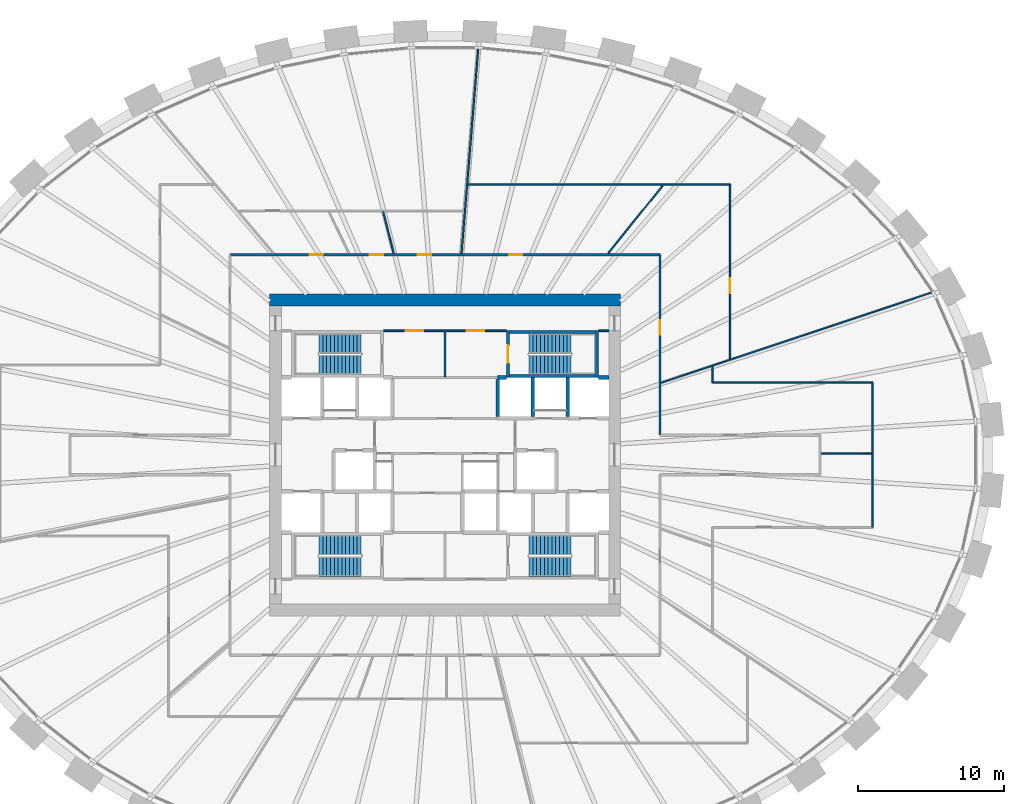
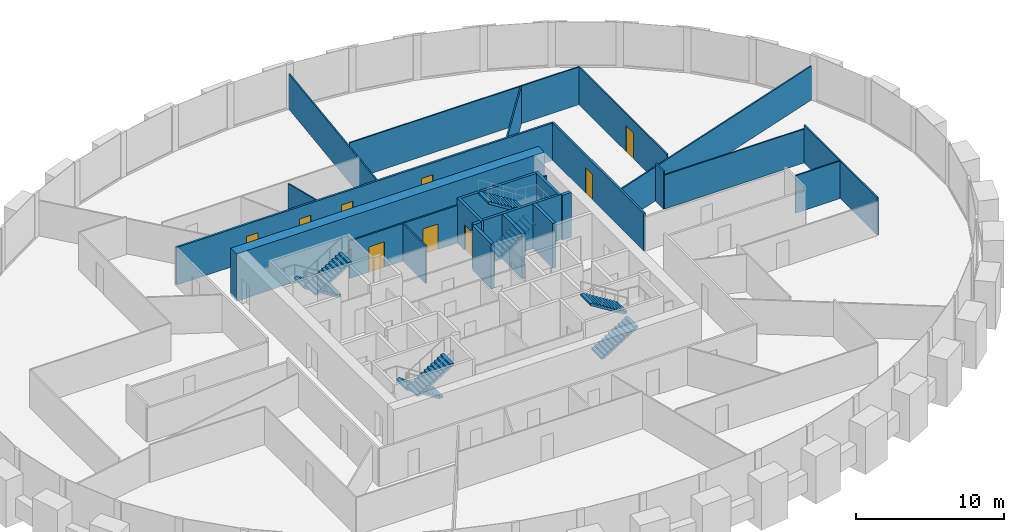
# One storey, part 9 of 10: 25 walls, 9 doors, 8 stair flights, 9 openings, 4 elements without a shape of their own.
"""IFC4 building model written with IfcOpenShell, lengths in metres."""

import ifcopenshell
import ifcopenshell.guid

model = None  # the IFC model being written
_history = None  # IfcOwnerHistory: only IFC2X3 demands one
_inside = {}  # id of a spatial element -> (the spatial element, [elements in it])
_under = {}  # id of a project, library or spatial element -> (it, [spatial elements below it])
_declared = {}  # id of a project -> (the project, [libraries it declares])
_typed = {}  # id of a type object -> (the type object, [elements of that type])
_made_of = {}  # id of a material, layer set ... -> (it, [elements and type objects made of it])


def new_model(schema):
    """Start an empty IFC model of exactly this schema.

    Asked for "IFC4X3", IfcOpenShell would pick the latest addendum, in which some entities
    have other attributes; the version numbers below select the first issue.
    IFC2X3 requires an IfcOwnerHistory on every rooted entity: one is made here for all.
    """
    global model, _history
    if schema == "IFC4X3":
        model = ifcopenshell.file(schema_version=(4, 3, 0, 0))
    else:
        model = ifcopenshell.file(schema=schema)
    _inside.clear()
    _under.clear()
    _declared.clear()
    _typed.clear()
    _made_of.clear()
    _history = None
    if model.schema == "IFC2X3":
        org = make("IfcOrganization", Name="unknown")
        user = make(
            "IfcPersonAndOrganization",
            ThePerson=make("IfcPerson", FamilyName="unknown"),
            TheOrganization=org,
        )
        app = make(
            "IfcApplication",
            ApplicationDeveloper=org,
            Version="unknown",
            ApplicationFullName="unknown",
            ApplicationIdentifier="unknown",
        )
        _history = make(
            "IfcOwnerHistory",
            OwningUser=user,
            OwningApplication=app,
            ChangeAction="ADDED",
            CreationDate=0,
        )
    return model


def make(cls, **values):
    """One entity of the class cls with the attributes given. An attribute that is None is left unset."""
    return model.create_entity(
        cls, **{name: value for name, value in values.items() if value is not None}
    )


def rooted(cls, **values):
    """An entity with a GlobalId (a new one), such as an element, a storey or a relation."""
    return make(cls, GlobalId=ifcopenshell.guid.new(), OwnerHistory=_history, **values)


def si_unit(unit_type, name, prefix=None):
    """IfcSIUnit, for example si_unit("LENGTHUNIT", "METRE", prefix="MILLI")."""
    return make("IfcSIUnit", UnitType=unit_type, Prefix=prefix, Name=name)


def assignment(units):
    """IfcUnitAssignment: the units of a project."""
    return None if units is None else make("IfcUnitAssignment", Units=units)


def point(xyz):
    """IfcCartesianPoint."""
    return None if xyz is None else make("IfcCartesianPoint", Coordinates=xyz)


def direction(xyz):
    """IfcDirection."""
    return None if xyz is None else make("IfcDirection", DirectionRatios=xyz)


def frame(location, z_axis=None, x_axis=None):
    """IfcAxis2Placement3D, a coordinate frame: its origin and axes. An axis left out is left unset."""
    return make(
        "IfcAxis2Placement3D",
        Location=point(location),
        Axis=direction(z_axis),
        RefDirection=direction(x_axis),
    )


def frame_2d(location, x_axis=None):
    """IfcAxis2Placement2D, a coordinate frame in the plane: its origin and x axis."""
    return make(
        "IfcAxis2Placement2D", Location=point(location), RefDirection=direction(x_axis)
    )


def origin():
    """The frame at (0, 0, 0) with its axes left unset."""
    return frame((0.0, 0.0, 0.0))


def place(relative_to, where):
    """IfcLocalPlacement: puts the frame where relative to a parent placement (None: the world)."""
    return make(
        "IfcLocalPlacement", PlacementRelTo=relative_to, RelativePlacement=where
    )


def context(
    kind, dimensions, precision=None, world=None, true_north=None, identifier=None
):
    """IfcGeometricRepresentationContext, for example the 3D "Model" context."""
    return make(
        "IfcGeometricRepresentationContext",
        ContextIdentifier=identifier,
        ContextType=kind,
        CoordinateSpaceDimension=dimensions,
        Precision=precision,
        WorldCoordinateSystem=world,
        TrueNorth=true_north,
    )


def subcontext(parent, identifier, kind, view, scale=None):
    """IfcGeometricRepresentationSubContext, for example "Body" below "Model"."""
    return make(
        "IfcGeometricRepresentationSubContext",
        ContextIdentifier=identifier,
        ContextType=kind,
        ParentContext=parent,
        TargetScale=scale,
        TargetView=view,
    )


def project(units=None, contexts=None):
    """IfcProject with its units and contexts."""
    return rooted(
        "IfcProject",
        Name="project",
        RepresentationContexts=contexts,
        UnitsInContext=assignment(units),
    )


def spatial(cls, under=None, at=None, **own):
    """A site, building, storey or space (cls), placed at a placement, below another one or the project."""
    s = rooted(cls, ObjectPlacement=at, **own)
    if under is not None:
        _under.setdefault(under.id(), (under, []))[1].append(s)
    return s


def polyline(points):
    """IfcPolyline through the points."""
    return make("IfcPolyline", Points=[point(p) for p in points])


def profile(cls, at=None, kind="AREA", **sizes):
    """A parametric profile (cls). Its sizes go by their IFC names, for example OverallWidth=200.0."""
    return make(cls, ProfileType=kind, Position=at, **sizes)


def rectangle(**sizes):
    """IfcRectangleProfileDef."""
    return profile("IfcRectangleProfileDef", **sizes)


def outline(outer, holes=None, kind="AREA"):
    """IfcArbitraryClosedProfileDef: a profile drawn as a closed curve; with holes, ...WithVoids."""
    if holes is None:
        return make("IfcArbitraryClosedProfileDef", ProfileType=kind, OuterCurve=outer)
    return make(
        "IfcArbitraryProfileDefWithVoids",
        ProfileType=kind,
        OuterCurve=outer,
        InnerCurves=holes,
    )


def extrude(swept, where, along, depth):
    """IfcExtrudedAreaSolid: the profile swept, set in the frame where, extruded along a direction by depth."""
    return make(
        "IfcExtrudedAreaSolid",
        SweptArea=swept,
        Position=where,
        ExtrudedDirection=direction(along),
        Depth=depth,
    )


def shape(context_of_items, identifier, shape_type, items):
    """IfcShapeRepresentation: the items that make up one representation, for example the "Body"."""
    return make(
        "IfcShapeRepresentation",
        ContextOfItems=context_of_items,
        RepresentationIdentifier=identifier,
        RepresentationType=shape_type,
        Items=items,
    )


def source(mapping_origin, context_of_items, identifier, shape_type, items):
    """IfcRepresentationMap: a shape defined once, which mapped items show again and again."""
    return make(
        "IfcRepresentationMap",
        MappingOrigin=mapping_origin,
        MappedRepresentation=shape(context_of_items, identifier, shape_type, items),
    )


def transform(
    local_origin,
    x_axis=None,
    y_axis=None,
    z_axis=None,
    scale=None,
    scale2=None,
    scale3=None,
    uniform=True,
):
    """IfcCartesianTransformationOperator3D, or its non-uniform kind. x_axis, y_axis, z_axis: its Axis1, 2, 3."""
    if uniform:
        return make(
            "IfcCartesianTransformationOperator3D",
            Axis1=direction(x_axis),
            Axis2=direction(y_axis),
            LocalOrigin=point(local_origin),
            Scale=scale,
            Axis3=direction(z_axis),
        )
    return make(
        "IfcCartesianTransformationOperator3DnonUniform",
        Axis1=direction(x_axis),
        Axis2=direction(y_axis),
        LocalOrigin=point(local_origin),
        Scale=scale,
        Axis3=direction(z_axis),
        Scale2=scale2,
        Scale3=scale3,
    )


def mapped(mapping_source, mapping_target):
    """IfcMappedItem: shows the shape of a source again, moved by a transform."""
    return make(
        "IfcMappedItem", MappingSource=mapping_source, MappingTarget=mapping_target
    )


def material(Name=None, Category=None):
    """IfcMaterial."""
    return make("IfcMaterial", Name=Name, Category=Category)


def layer(
    of_material, thickness, ventilated=None, Name=None, Category=None, Priority=None
):
    """IfcMaterialLayer: one layer of a wall or slab, of a material (None: an air gap)."""
    return make(
        "IfcMaterialLayer",
        Material=of_material,
        LayerThickness=thickness,
        IsVentilated=ventilated,
        Name=Name,
        Category=Category,
        Priority=Priority,
    )


def layer_set(layers, Name=None):
    """IfcMaterialLayerSet."""
    return make("IfcMaterialLayerSet", MaterialLayers=layers, LayerSetName=Name)


def made_of(thing, what):
    """Note that an element or type object is made of a material, layer set ...; save() writes the relation."""
    if what is not None:
        _made_of.setdefault(what.id(), (what, []))[1].append(thing)
    return thing


def type_object(cls, material=None, **own):
    """A type object (cls), such as IfcWallType, which elements share."""
    return made_of(rooted(cls, **own), material)


def element(
    cls,
    number,
    at=None,
    inside=None,
    cuts=None,
    type_object=None,
    material=None,
    context=None,
    identifier="Body",
    shape_type=None,
    held_by="IfcProductDefinitionShape",
    body=None,
    shapes=None,
    **own,
):
    """One element of the class cls, such as IfcWall. Its Tag is "e" and its number.

    at: its placement. inside: the storey or other place that contains it. cuts: it is an
    opening in that element (IfcRelVoidsElement). A single representation is given by context,
    identifier, shape_type and body (its items); several are given by shapes. held_by: the class
    of the entity that holds the representations. save() writes the other relations.
    """
    e = rooted(cls, Tag="e%d" % number, ObjectPlacement=at, **own)
    if body is not None:
        shapes = [shape(context, identifier, shape_type, body)]
    if shapes is not None:
        e.Representation = make(held_by, Representations=shapes)
    if inside is not None:
        _inside.setdefault(inside.id(), (inside, []))[1].append(e)
    if cuts is not None:
        rooted(
            "IfcRelVoidsElement", RelatingBuildingElement=cuts, RelatedOpeningElement=e
        )
    if type_object is not None:
        _typed.setdefault(type_object.id(), (type_object, []))[1].append(e)
    return made_of(e, material)


def fill(opening, filler):
    """IfcRelFillsElement: the door or window that sits in an opening."""
    return rooted(
        "IfcRelFillsElement",
        RelatingOpeningElement=opening,
        RelatedBuildingElement=filler,
    )


def aggregate(whole, parts):
    """IfcRelAggregates: a whole, such as a stair, and the parts it consists of."""
    return rooted("IfcRelAggregates", RelatingObject=whole, RelatedObjects=parts)


def save(model, path):
    """Write the relations noted so far, then the file.

    IfcRelAggregates (storeys below a building ...), IfcRelContainedInSpatialStructure (elements
    in a storey), IfcRelDefinesByType, IfcRelAssociatesMaterial and IfcRelDeclares: one each for
    every whole, place, type object, material and project.
    """
    for whole, parts in _under.values():
        aggregate(whole, parts)
    for where, things in _inside.values():
        rooted(
            "IfcRelContainedInSpatialStructure",
            RelatedElements=things,
            RelatingStructure=where,
        )
    for kind, things in _typed.values():
        rooted("IfcRelDefinesByType", RelatedObjects=things, RelatingType=kind)
    for what, things in _made_of.values():
        rooted("IfcRelAssociatesMaterial", RelatedObjects=things, RelatingMaterial=what)
    for by, libraries in _declared.values():
        rooted("IfcRelDeclares", RelatingContext=by, RelatedDefinitions=libraries)
    model.write(path)


model = new_model("IFC4")

# Units and contexts
model_context = context("Model", 3, precision=1e-05, world=origin(), true_north=direction((0.0, 1.0)))
body_context = subcontext(model_context, "Body", "Model", "MODEL_VIEW")
ifc_project = project(units=[si_unit("LENGTHUNIT", "METRE"), si_unit("AREAUNIT", "SQUARE_METRE"), si_unit("VOLUMEUNIT", "CUBIC_METRE"), si_unit("PLANEANGLEUNIT", "RADIAN"), si_unit("MASSUNIT", "GRAM", prefix="KILO")], contexts=[model_context])

# Site, building, storey
site_placement = place(None, origin())
site = spatial("IfcSite", under=ifc_project, at=site_placement, CompositionType="ELEMENT")
building_placement = place(site_placement, origin())
building = spatial("IfcBuilding", under=site, at=building_placement, Name="Embergate Tower", CompositionType="ELEMENT")
storey_placement = place(building_placement, frame((0.0, 0.0, 163.800048828125)))
storey = spatial("IfcBuildingStorey", under=building, at=storey_placement, Name="L36", CompositionType="ELEMENT", Elevation=163.800048828125)

# Walls
ifc_material_1 = material(Name="Concrete C70", Category="concrete")
ifc_layer_1 = layer(ifc_material_1, 0.800048828125)
ifc_layer_set_1 = layer_set([ifc_layer_1], Name="Concrete C70")
wall_type_1 = type_object("IfcWallType", Name="Core outer wall C70 800", PredefinedType="SHEAR", material=ifc_layer_set_1)
shared_shape_1 = source(origin(), body_context, "Body", "SweptSolid", [
    extrude(rectangle(XDim=24.0, YDim=0.800048828125, at=frame_2d((12.0, 0.0))), origin(), (0.0, 0.0, 1.0), 3.89990234375),
])
wall_1_placement = place(storey_placement, frame((-12.0, 10.60009765625, -0.199951171875), z_axis=(0.0, 0.0, 1.0), x_axis=(1.0, 0.0, 0.0)))
element("IfcWall", 1, at=wall_1_placement, inside=storey, type_object=wall_type_1, Name="CW-L36-N", PredefinedType="SHEAR", context=body_context, shape_type="MappedRepresentation", body=[
    mapped(shared_shape_1, transform((0.0, 0.0, 0.0))),
])
ifc_material_2 = material(Name="Concrete C50", Category="concrete")
ifc_layer_2 = layer(ifc_material_2, 0.25)
ifc_layer_set_2 = layer_set([ifc_layer_2], Name="Concrete C50")
wall_type_2 = type_object("IfcWallType", Name="Hoistway wall reinforced concrete 250", PredefinedType="SHEAR", material=ifc_layer_set_2)
shared_shape_2 = source(origin(), body_context, "Body", "SweptSolid", [
    extrude(rectangle(XDim=2.675048828125, YDim=0.25, at=frame_2d((1.33740234375, 0.0))), origin(), (0.0, 0.0, 1.0), 3.699951171875),
])
for number, where, z_axis, x_axis, name in (
    (2, (6.0, 2.625, 0.0), (0.0, 0.0, 1.0), (0.0, 1.0, 0.0), "HW-1 wall"),
    (3, (8.39990234375, 2.625, 0.0), (0.0, 0.0, 1.0), (0.0, 1.0, 0.0), "HW-1 wall"),
):
    element("IfcWall", number, at=place(storey_placement, frame(where, z_axis=z_axis, x_axis=x_axis)), inside=storey, type_object=wall_type_2, Name=name, PredefinedType="SHEAR", context=body_context, shape_type="MappedRepresentation", body=[
        mapped(shared_shape_2, transform((0.0, 0.0, 0.0))),
    ])
ifc_layer_3 = layer(ifc_material_2, 0.199951171875)
ifc_layer_set_3 = layer_set([ifc_layer_3], Name="Concrete C50")
wall_type_3 = type_object("IfcWallType", Name="Stair enclosure wall reinforced concrete 250", PredefinedType="SHEAR", material=ifc_layer_set_3)
shared_shape_3 = source(origin(), body_context, "Body", "SweptSolid", [
    extrude(rectangle(XDim=6.300048828125, YDim=0.199951171875, at=frame_2d((3.14990234375, 0.0))), origin(), (0.0, 0.0, 1.0), 3.699951171875),
])
for number, where, z_axis, x_axis, name in (
    (4, (10.5, 5.39990234375, 0.0), (0.0, 0.0, 1.0), (-1.0, 0.0, 0.0), "SE-1 wall"),
    (5, (10.5, 8.39990234375, 0.0), (0.0, 0.0, 1.0), (-1.0, 0.0, 0.0), "SE-1 wall"),
):
    element("IfcWall", number, at=place(storey_placement, frame(where, z_axis=z_axis, x_axis=x_axis)), inside=storey, type_object=wall_type_3, Name=name, PredefinedType="SHEAR", context=body_context, shape_type="MappedRepresentation", body=[
        mapped(shared_shape_3, transform((0.0, 0.0, 0.0))),
    ])
shared_shape_4 = source(origin(), body_context, "Body", "SweptSolid", [
    extrude(rectangle(XDim=2.550048828125, YDim=0.25, at=frame_2d((1.27490234375, 0.0))), origin(), (0.0, 0.0, 1.0), 3.699951171875),
])
wall_2_placement = place(storey_placement, frame((3.60009765625, 5.175048828125, 0.0), z_axis=(0.0, 0.0, 1.0), x_axis=(0.0, -1.0, 0.0)))
element("IfcWall", 6, at=wall_2_placement, inside=storey, type_object=wall_type_2, Name="HW-1 wall", PredefinedType="SHEAR", context=body_context, shape_type="MappedRepresentation", body=[
    mapped(shared_shape_4, transform((0.0, 0.0, 0.0))),
])

# Wall, opening, door
shared_shape_5 = source(origin(), body_context, "Body", "SweptSolid", [
    extrude(rectangle(XDim=3.199951171875, YDim=0.199951171875, at=frame_2d((1.60009765625, 0.0))), origin(), (0.0, 0.0, 1.0), 3.699951171875),
])
wall_3_placement = place(storey_placement, frame((4.300048828125, 8.5, 0.0), z_axis=(0.0, 0.0, 1.0), x_axis=(0.0, -1.0, 0.0)))
wall_3 = element("IfcWall", 7, at=wall_3_placement, inside=storey, type_object=wall_type_3, Name="SE-1 wall", PredefinedType="SHEAR", context=body_context, shape_type="MappedRepresentation", body=[
    mapped(shared_shape_5, transform((0.0, 0.0, 0.0))),
])
shared_shape_6 = source(origin(), body_context, "Body", "SweptSolid", [
    extrude(rectangle(XDim=1.199951171875, YDim=2.10009765625, at=frame_2d((0.60009765625, 1.050048828125))), frame((0.0, 0.10986328125, 0.0), z_axis=(0.0, -1.0, 0.0), x_axis=(1.0, 0.0, 0.0)), (0.0, 0.0, 1.0), 0.219970703125),
])
opening_1_placement = place(wall_3_placement, frame((1.0, 0.0, 0.0)))
opening_1 = element("IfcOpeningElement", 8, at=opening_1_placement, cuts=wall_3, Name="Opening IF-2", PredefinedType="OPENING", context=body_context, shape_type="MappedRepresentation", body=[
    mapped(shared_shape_6, transform((0.0, 0.0, 0.0))),
])
ifc_material_3 = material(Name="Stair enclosure door 1200")
door_type_1 = type_object("IfcDoorType", Name="Stair enclosure door 1200", OperationType="SINGLE_SWING_LEFT", PredefinedType="DOOR", material=ifc_material_3)
shared_shape_7 = source(origin(), body_context, "Body", "SweptSolid", [
    extrude(rectangle(XDim=1.199951171875, YDim=2.10009765625, at=frame_2d((0.60009765625, 1.050048828125))), frame((0.0, 0.02490234375, 0.0), z_axis=(0.0, -1.0, 0.0), x_axis=(1.0, 0.0, 0.0)), (0.0, 0.0, 1.0), 0.050048828125),
])
door_1_placement = place(opening_1_placement, origin())
door_1 = element("IfcDoor", 9, at=door_1_placement, inside=storey, type_object=door_type_1, Name="IF-2 door", OperationType="SINGLE_SWING_RIGHT", OverallHeight=2.10009765625, OverallWidth=1.199951171875, PredefinedType="DOOR", context=body_context, shape_type="MappedRepresentation", body=[
    mapped(shared_shape_7, transform((0.0, 0.0, 0.0))),
])
fill(opening_1, door_1)

# Wall, openings, doors
ifc_material_4 = material(Name="Core partition blockwork 120")
ifc_layer_4 = layer(ifc_material_4, 0.1201171875)
ifc_layer_set_4 = layer_set([ifc_layer_4], Name="Core partition blockwork 120")
wall_type_4 = type_object("IfcWallType", Name="Core partition blockwork 120", PredefinedType="PARTITIONING", material=ifc_layer_set_4)
shared_shape_8 = source(origin(), body_context, "Body", "SweptSolid", [
    extrude(rectangle(XDim=8.39990234375, YDim=0.1201171875, at=frame_2d((4.199951171875, 0.0))), origin(), (0.0, 0.0, 1.0), 3.099853515625),
])
wall_4_placement = place(storey_placement, frame((4.199951171875, 8.5, 0.0), z_axis=(0.0, 0.0, 1.0), x_axis=(-1.0, 0.0, 0.0)))
wall_4 = element("IfcWall", 10, at=wall_4_placement, inside=storey, type_object=wall_type_4, Name="IP-3 wall", PredefinedType="PARTITIONING", context=body_context, shape_type="MappedRepresentation", body=[
    mapped(shared_shape_8, transform((0.0, 0.0, 0.0))),
])
shared_shape_9 = source(origin(), body_context, "Body", "SweptSolid", [
    extrude(rectangle(XDim=1.199951171875, YDim=2.10009765625, at=frame_2d((0.60009765625, 1.050048828125))), frame((0.0, 0.070068359375, 0.0), z_axis=(0.0, -1.0, 0.0), x_axis=(1.0, 0.0, 0.0)), (0.0, 0.0, 1.0), 0.14013671875),
])
opening_2_placement = place(wall_4_placement, frame((5.699951171875, 0.0, 0.0)))
opening_2 = element("IfcOpeningElement", 11, at=opening_2_placement, cuts=wall_4, Name="Opening IF-3f", PredefinedType="OPENING", context=body_context, shape_type="MappedRepresentation", body=[
    mapped(shared_shape_9, transform((0.0, 0.0, 0.0))),
])
opening_3_placement = place(wall_4_placement, frame((1.5, 0.0, 0.0)))
opening_3 = element("IfcOpeningElement", 12, at=opening_3_placement, cuts=wall_4, Name="Opening IF-3f", PredefinedType="OPENING", context=body_context, shape_type="MappedRepresentation", body=[
    mapped(shared_shape_9, transform((0.0, 0.0, 0.0))),
])
ifc_material_5 = material(Name="Lobby fire door pair 1200")
door_type_2 = type_object("IfcDoorType", Name="Lobby fire door pair 1200", OperationType="DOUBLE_DOOR_SINGLE_SWING", PredefinedType="DOOR", material=ifc_material_5)
door_2_placement = place(opening_2_placement, origin())
door_2 = element("IfcDoor", 13, at=door_2_placement, inside=storey, type_object=door_type_2, Name="IF-3 door", OperationType="DOUBLE_DOOR_SINGLE_SWING", OverallHeight=2.10009765625, OverallWidth=1.199951171875, PredefinedType="DOOR", context=body_context, shape_type="MappedRepresentation", body=[
    mapped(shared_shape_7, transform((0.0, 0.0, 0.0))),
])
fill(opening_2, door_2)
door_3_placement = place(opening_3_placement, origin())
door_3 = element("IfcDoor", 14, at=door_3_placement, inside=storey, type_object=door_type_2, Name="IF-3 door", OperationType="DOUBLE_DOOR_SINGLE_SWING", OverallHeight=2.10009765625, OverallWidth=1.199951171875, PredefinedType="DOOR", context=body_context, shape_type="MappedRepresentation", body=[
    mapped(shared_shape_7, transform((0.0, 0.0, 0.0))),
])
fill(opening_3, door_3)

# Walls
ifc_material_6 = material(Name="Partition dry-lined 100")
ifc_layer_5 = layer(ifc_material_6, 0.10009765625)
ifc_layer_set_5 = layer_set([ifc_layer_5], Name="Partition dry-lined 100")
wall_type_5 = type_object("IfcWallType", Name="Partition dry-lined 100", PredefinedType="PARTITIONING", material=ifc_layer_set_5)
shared_shape_10 = source(origin(), body_context, "Body", "SweptSolid", [
    extrude(rectangle(XDim=10.949951171875, YDim=0.10009765625, at=frame_2d((5.47509765625, 0.0))), origin(), (0.0, 0.0, 1.0), 2.800048828125),
])
wall_5_placement = place(storey_placement, frame((29.25, 4.949951171875, 0.0), z_axis=(0.0, 0.0, 1.0), x_axis=(-1.0, 0.0, 0.0)))
element("IfcWall", 15, at=wall_5_placement, inside=storey, type_object=wall_type_5, Name="IP-1 wall", PredefinedType="PARTITIONING", context=body_context, shape_type="MappedRepresentation", body=[
    mapped(shared_shape_10, transform((0.0, 0.0, 0.0))),
])
shared_shape_11 = source(origin(), body_context, "Body", "SweptSolid", [
    extrude(rectangle(XDim=0.599853515625, YDim=0.25, at=frame_2d((0.2998046875, 0.0))), origin(), (0.0, 0.0, 1.0), 3.699951171875),
])
wall_6_placement = place(storey_placement, frame((4.199951171875, 5.300048828125, 0.0), z_axis=(0.0, 0.0, 1.0), x_axis=(-1.0, 0.0, 0.0)))
element("IfcWall", 16, at=wall_6_placement, inside=storey, type_object=wall_type_2, Name="HW-1 wall", PredefinedType="SHEAR", context=body_context, shape_type="MappedRepresentation", body=[
    mapped(shared_shape_11, transform((0.0, 0.0, 0.0))),
])
shared_shape_12 = source(origin(), body_context, "Body", "SweptSolid", [
    extrude(rectangle(XDim=3.196044921875, YDim=0.199951171875, at=frame_2d((1.59814453125, 0.0))), origin(), (0.0, 0.0, 1.0), 3.699951171875),
])
wall_7_placement = place(storey_placement, frame((10.39990234375, 5.302001953125, 0.0), z_axis=(0.0, 0.0, 1.0), x_axis=(0.0, 1.0, 0.0)))
element("IfcWall", 17, at=wall_7_placement, inside=storey, type_object=wall_type_3, Name="SE-1 wall", PredefinedType="SHEAR", context=body_context, shape_type="MappedRepresentation", body=[
    mapped(shared_shape_12, transform((0.0, 0.0, 0.0))),
])
shared_shape_13 = source(origin(), body_context, "Body", "SweptSolid", [
    extrude(rectangle(XDim=0.697998046875, YDim=0.25, at=frame_2d((0.34912109375, 0.0))), origin(), (0.0, 0.0, 1.0), 3.699951171875),
])
wall_8_placement = place(storey_placement, frame((11.199951171875, 5.300048828125, 0.0), z_axis=(0.0, 0.0, 1.0), x_axis=(-1.0, 0.0, 0.0)))
element("IfcWall", 18, at=wall_8_placement, inside=storey, type_object=wall_type_2, Name="HW-1 wall", PredefinedType="SHEAR", context=body_context, shape_type="MappedRepresentation", body=[
    mapped(shared_shape_13, transform((0.0, 0.0, 0.0))),
])
shared_shape_14 = source(origin(), body_context, "Body", "SweptSolid", [
    extrude(rectangle(XDim=3.079833984375, YDim=0.1201171875, at=frame_2d((1.5400390625, 0.0))), origin(), (0.0, 0.0, 1.0), 3.099853515625),
])
wall_9_placement = place(storey_placement, frame((0.0, 5.360107421875, 0.0), z_axis=(0.0, 0.0, 1.0), x_axis=(0.0, 1.0, 0.0)))
element("IfcWall", 19, at=wall_9_placement, inside=storey, type_object=wall_type_4, Name="IP-3 wall", PredefinedType="PARTITIONING", context=body_context, shape_type="MappedRepresentation", body=[
    mapped(shared_shape_14, transform((0.0, 0.0, 0.0))),
])
shared_shape_15 = source(origin(), body_context, "Body", "SweptSolid", [
    extrude(rectangle(XDim=0.697998046875, YDim=0.1201171875, at=frame_2d((0.34912109375, 0.0))), origin(), (0.0, 0.0, 1.0), 3.099853515625),
])
wall_10_placement = place(storey_placement, frame((10.501953125, 8.5, 0.0), z_axis=(0.0, 0.0, 1.0), x_axis=(1.0, 0.0, 0.0)))
element("IfcWall", 20, at=wall_10_placement, inside=storey, type_object=wall_type_4, Name="IP-3 wall", PredefinedType="PARTITIONING", context=body_context, shape_type="MappedRepresentation", body=[
    mapped(shared_shape_15, transform((0.0, 0.0, 0.0))),
])

# Wall, opening, door
ifc_material_7 = material(Name="Corridor wall dry-lined 150")
ifc_layer_6 = layer(ifc_material_7, 0.14990234375)
ifc_layer_set_6 = layer_set([ifc_layer_6], Name="Corridor wall dry-lined 150")
wall_type_6 = type_object("IfcWallType", Name="Corridor wall dry-lined 150", PredefinedType="PARTITIONING", material=ifc_layer_set_6)
shared_shape_16 = source(origin(), body_context, "Body", "SweptSolid", [
    extrude(rectangle(XDim=12.349853515625, YDim=0.14990234375, at=frame_2d((6.1748046875, 0.0))), origin(), (0.0, 0.0, 1.0), 3.099853515625),
])
wall_11_placement = place(storey_placement, frame((14.699951171875, 13.699951171875, 0.0), z_axis=(0.0, 0.0, 1.0), x_axis=(0.0, -1.0, 0.0)))
wall_11 = element("IfcWall", 21, at=wall_11_placement, inside=storey, type_object=wall_type_6, Name="IP-2 wall", PredefinedType="PARTITIONING", context=body_context, shape_type="MappedRepresentation", body=[
    mapped(shared_shape_16, transform((0.0, 0.0, 0.0))),
])
shared_shape_17 = source(origin(), body_context, "Body", "SweptSolid", [
    extrude(rectangle(XDim=1.0, YDim=2.10009765625, at=frame_2d((0.5, 1.050048828125))), frame((0.0, 0.0849609375, 0.0), z_axis=(0.0, -1.0, 0.0), x_axis=(1.0, 0.0, 0.0)), (0.0, 0.0, 1.0), 0.169921875),
])
opening_4_placement = place(wall_11_placement, frame((4.470947265625, 0.0, 0.0)))
opening_4 = element("IfcOpeningElement", 22, at=opening_4_placement, cuts=wall_11, Name="Opening ID-2", PredefinedType="OPENING", context=body_context, shape_type="MappedRepresentation", body=[
    mapped(shared_shape_17, transform((0.0, 0.0, 0.0))),
])
ifc_material_8 = material(Name="Interior door 1000")
door_type_3 = type_object("IfcDoorType", Name="Interior door 1000", OperationType="SINGLE_SWING_LEFT", PredefinedType="DOOR", material=ifc_material_8)
shared_shape_18 = source(origin(), body_context, "Body", "SweptSolid", [
    extrude(rectangle(XDim=1.0, YDim=2.10009765625, at=frame_2d((0.5, 1.050048828125))), frame((0.0, 0.02490234375, 0.0), z_axis=(0.0, -1.0, 0.0), x_axis=(1.0, 0.0, 0.0)), (0.0, 0.0, 1.0), 0.050048828125),
])
door_4_placement = place(opening_4_placement, origin())
door_4 = element("IfcDoor", 23, at=door_4_placement, inside=storey, type_object=door_type_3, Name="ID-2 door", OperationType="SINGLE_SWING_RIGHT", OverallHeight=2.10009765625, OverallWidth=1.0, PredefinedType="DOOR", context=body_context, shape_type="MappedRepresentation", body=[
    mapped(shared_shape_18, transform((0.0, 0.0, 0.0))),
])
fill(opening_4, door_4)

# Wall, openings, doors
shared_shape_19 = source(origin(), body_context, "Body", "SweptSolid", [
    extrude(rectangle(XDim=29.39990234375, YDim=0.14990234375, at=frame_2d((14.699951171875, 0.0))), origin(), (0.0, 0.0, 1.0), 3.099853515625),
])
wall_12_placement = place(storey_placement, frame((-14.699951171875, 13.699951171875, 0.0), z_axis=(0.0, 0.0, 1.0), x_axis=(1.0, 0.0, 0.0)))
wall_12 = element("IfcWall", 24, at=wall_12_placement, inside=storey, type_object=wall_type_6, Name="IP-2 wall", PredefinedType="PARTITIONING", context=body_context, shape_type="MappedRepresentation", body=[
    mapped(shared_shape_19, transform((0.0, 0.0, 0.0))),
])
shared_shape_20 = source(origin(), body_context, "Body", "SweptSolid", [
    extrude(rectangle(XDim=0.89990234375, YDim=2.10009765625, at=frame_2d((0.449951171875, 1.050048828125))), frame((0.0, 0.0849609375, 0.0), z_axis=(0.0, -1.0, 0.0), x_axis=(1.0, 0.0, 0.0)), (0.0, 0.0, 1.0), 0.169921875),
])
opening_5_placement = place(wall_12_placement, frame((19.080078125, 0.0, 0.0)))
opening_5 = element("IfcOpeningElement", 25, at=opening_5_placement, cuts=wall_12, Name="Opening IF-1c", PredefinedType="OPENING", context=body_context, shape_type="MappedRepresentation", body=[
    mapped(shared_shape_20, transform((0.0, 0.0, 0.0))),
])
opening_6_placement = place(wall_12_placement, frame((12.84912109375, 0.0, 0.0)))
opening_6 = element("IfcOpeningElement", 26, at=opening_6_placement, cuts=wall_12, Name="Opening IF-1c", PredefinedType="OPENING", context=body_context, shape_type="MappedRepresentation", body=[
    mapped(shared_shape_20, transform((0.0, 0.0, 0.0))),
])
opening_7_placement = place(wall_12_placement, frame((9.56396484375, 0.0, 0.0)))
opening_7 = element("IfcOpeningElement", 27, at=opening_7_placement, cuts=wall_12, Name="Opening IF-1c", PredefinedType="OPENING", context=body_context, shape_type="MappedRepresentation", body=[
    mapped(shared_shape_20, transform((0.0, 0.0, 0.0))),
])
opening_8_placement = place(wall_12_placement, frame((5.452880859375, 0.0, 0.0)))
opening_8 = element("IfcOpeningElement", 28, at=opening_8_placement, cuts=wall_12, Name="Opening IF-1c", PredefinedType="OPENING", context=body_context, shape_type="MappedRepresentation", body=[
    mapped(shared_shape_20, transform((0.0, 0.0, 0.0))),
])
ifc_material_9 = material(Name="Escape fire door 900")
door_type_4 = type_object("IfcDoorType", Name="Escape fire door 900", OperationType="SINGLE_SWING_LEFT", PredefinedType="DOOR", material=ifc_material_9)
shared_shape_21 = source(origin(), body_context, "Body", "SweptSolid", [
    extrude(rectangle(XDim=0.89990234375, YDim=2.10009765625, at=frame_2d((0.449951171875, 1.050048828125))), frame((0.0, 0.02490234375, 0.0), z_axis=(0.0, -1.0, 0.0), x_axis=(1.0, 0.0, 0.0)), (0.0, 0.0, 1.0), 0.050048828125),
])
door_5_placement = place(opening_5_placement, origin())
door_5 = element("IfcDoor", 29, at=door_5_placement, inside=storey, type_object=door_type_4, Name="IF-1 door", OperationType="SINGLE_SWING_RIGHT", OverallHeight=2.10009765625, OverallWidth=0.89990234375, PredefinedType="DOOR", context=body_context, shape_type="MappedRepresentation", body=[
    mapped(shared_shape_21, transform((0.0, 0.0, 0.0))),
])
fill(opening_5, door_5)
door_6_placement = place(opening_6_placement, origin())
door_6 = element("IfcDoor", 30, at=door_6_placement, inside=storey, type_object=door_type_4, Name="IF-1 door", OperationType="SINGLE_SWING_LEFT", OverallHeight=2.10009765625, OverallWidth=0.89990234375, PredefinedType="DOOR", context=body_context, shape_type="MappedRepresentation", body=[
    mapped(shared_shape_21, transform((0.0, 0.0, 0.0))),
])
fill(opening_6, door_6)
door_7_placement = place(opening_7_placement, origin())
door_7 = element("IfcDoor", 31, at=door_7_placement, inside=storey, type_object=door_type_4, Name="IF-1 door", OperationType="SINGLE_SWING_LEFT", OverallHeight=2.10009765625, OverallWidth=0.89990234375, PredefinedType="DOOR", context=body_context, shape_type="MappedRepresentation", body=[
    mapped(shared_shape_21, transform((0.0, 0.0, 0.0))),
])
fill(opening_7, door_7)
door_8_placement = place(opening_8_placement, origin())
door_8 = element("IfcDoor", 32, at=door_8_placement, inside=storey, type_object=door_type_4, Name="IF-1 door", OperationType="SINGLE_SWING_RIGHT", OverallHeight=2.10009765625, OverallWidth=0.89990234375, PredefinedType="DOOR", context=body_context, shape_type="MappedRepresentation", body=[
    mapped(shared_shape_21, transform((0.0, 0.0, 0.0))),
])
fill(opening_8, door_8)

# Walls
shared_shape_22 = source(origin(), body_context, "Body", "SweptSolid", [
    extrude(rectangle(XDim=3.474853515625, YDim=0.10009765625, at=frame_2d((1.7373046875, 0.0))), origin(), (0.0, 0.0, 1.0), 3.099853515625),
])
wall_13_placement = place(storey_placement, frame((25.72509765625, 0.087890625, 0.0), z_axis=(0.0, 0.0, 1.0), x_axis=(0.999993829603, 0.003512941156, 0.0)))
element("IfcWall", 33, at=wall_13_placement, inside=storey, type_object=wall_type_5, Name="IP-1 wall", PredefinedType="PARTITIONING", context=body_context, shape_type="MappedRepresentation", body=[
    mapped(shared_shape_22, transform((0.0, 0.0, 0.0))),
])
shared_shape_23 = source(origin(), body_context, "Body", "SweptSolid", [
    extrude(rectangle(XDim=9.89990234375, YDim=0.10009765625, at=frame_2d((4.949951171875, 0.0))), origin(), (0.0, 0.0, 1.0), 3.099853515625),
])
wall_14_placement = place(storey_placement, frame((29.25, 4.949951171875, 0.0), z_axis=(0.0, 0.0, 1.0), x_axis=(0.0, -1.0, 0.0)))
element("IfcWall", 34, at=wall_14_placement, inside=storey, type_object=wall_type_5, Name="IP-1 wall", PredefinedType="PARTITIONING", context=body_context, shape_type="MappedRepresentation", body=[
    mapped(shared_shape_23, transform((0.0, 0.0, 0.0))),
])
shared_shape_24 = source(origin(), body_context, "Body", "SweptSolid", [
    extrude(rectangle(XDim=1.092041015625, YDim=0.10009765625, at=frame_2d((0.5458984375, 0.0))), origin(), (0.0, 0.0, 1.0), 3.099853515625),
])
wall_15_placement = place(storey_placement, frame((18.300048828125, 4.949951171875, 0.0), z_axis=(0.0, 0.0, 1.0), x_axis=(0.0, 1.0, 0.0)))
element("IfcWall", 35, at=wall_15_placement, inside=storey, type_object=wall_type_5, Name="IP-1 wall", PredefinedType="PARTITIONING", context=body_context, shape_type="MappedRepresentation", body=[
    mapped(shared_shape_24, transform((0.0, 0.0, 0.0))),
])
shared_shape_25 = source(origin(), body_context, "Body", "SweptSolid", [
    extrude(rectangle(XDim=19.575927734375, YDim=0.10009765625, at=frame_2d((9.7880859375, 0.0))), origin(), (0.0, 0.0, 1.0), 2.800048828125),
])
wall_16_placement = place(storey_placement, frame((33.35888671875, 11.14111328125, 0.0), z_axis=(0.0, 0.0, 1.0), x_axis=(-0.948501058116, -0.316773961608, 0.0)))
element("IfcWall", 36, at=wall_16_placement, inside=storey, type_object=wall_type_5, Name="IP-1 wall", PredefinedType="PARTITIONING", context=body_context, shape_type="MappedRepresentation", body=[
    mapped(shared_shape_25, transform((0.0, 0.0, 0.0))),
])
shared_shape_26 = source(origin(), body_context, "Body", "SweptSolid", [
    extrude(rectangle(XDim=5.931640625, YDim=0.10009765625, at=frame_2d((2.9658203125, 0.0))), origin(), (0.0, 0.0, 1.0), 3.099853515625),
])
wall_17_placement = place(storey_placement, frame((14.89111328125, 18.4189453125, 0.0), z_axis=(0.0, 0.0, 1.0), x_axis=(-0.628652246479, -0.777686539035, 0.0)))
element("IfcWall", 37, at=wall_17_placement, inside=storey, type_object=wall_type_5, Name="IP-1 wall", PredefinedType="PARTITIONING", context=body_context, shape_type="MappedRepresentation", body=[
    mapped(shared_shape_26, transform((0.0, 0.0, 0.0))),
])

# Wall, opening, door
shared_shape_27 = source(origin(), body_context, "Body", "SweptSolid", [
    extrude(rectangle(XDim=11.91796875, YDim=0.10009765625, at=frame_2d((5.958984375, 0.0))), origin(), (0.0, 0.0, 1.0), 3.099853515625),
])
wall_18_placement = place(storey_placement, frame((19.5, 6.58203125, 0.0), z_axis=(0.0, 0.0, 1.0), x_axis=(0.0, 1.0, 0.0)))
wall_18 = element("IfcWall", 38, at=wall_18_placement, inside=storey, type_object=wall_type_5, Name="IP-1 wall", PredefinedType="PARTITIONING", context=body_context, shape_type="MappedRepresentation", body=[
    mapped(shared_shape_27, transform((0.0, 0.0, 0.0))),
])
shared_shape_28 = source(origin(), body_context, "Body", "SweptSolid", [
    extrude(rectangle(XDim=1.0, YDim=2.10009765625, at=frame_2d((0.5, 1.050048828125))), frame((0.0, 0.06005859375, 0.0), z_axis=(0.0, -1.0, 0.0), x_axis=(1.0, 0.0, 0.0)), (0.0, 0.0, 1.0), 0.1201171875),
])
opening_9_placement = place(wall_18_placement, frame((4.4892578125, 0.0, 0.0)))
opening_9 = element("IfcOpeningElement", 39, at=opening_9_placement, cuts=wall_18, Name="Opening ID-2", PredefinedType="OPENING", context=body_context, shape_type="MappedRepresentation", body=[
    mapped(shared_shape_28, transform((0.0, 0.0, 0.0))),
])
door_9_placement = place(opening_9_placement, origin())
door_9 = element("IfcDoor", 40, at=door_9_placement, inside=storey, type_object=door_type_3, Name="ID-2 door", OperationType="SINGLE_SWING_RIGHT", OverallHeight=2.10009765625, OverallWidth=1.0, PredefinedType="DOOR", context=body_context, shape_type="MappedRepresentation", body=[
    mapped(shared_shape_18, transform((0.0, 0.0, 0.0))),
])
fill(opening_9, door_9)

# Walls
shared_shape_29 = source(origin(), body_context, "Body", "SweptSolid", [
    extrude(rectangle(XDim=17.93798828125, YDim=0.10009765625, at=frame_2d((8.968994140625, 0.0))), origin(), (0.0, 0.0, 1.0), 3.099853515625),
])
wall_19_placement = place(storey_placement, frame((19.5, 18.5, 0.0), z_axis=(0.0, 0.0, 1.0), x_axis=(-1.0, 0.0, 0.0)))
element("IfcWall", 41, at=wall_19_placement, inside=storey, type_object=wall_type_5, Name="IP-1 wall", PredefinedType="PARTITIONING", context=body_context, shape_type="MappedRepresentation", body=[
    mapped(shared_shape_29, transform((0.0, 0.0, 0.0))),
])
shared_shape_30 = source(origin(), body_context, "Body", "SweptSolid", [
    extrude(rectangle(XDim=14.119873046875, YDim=0.10009765625, at=frame_2d((7.06005859375, 0.0))), origin(), (0.0, 0.0, 1.0), 2.89990234375),
])
wall_20_placement = place(storey_placement, frame((2.27587890625, 27.847900390625, 0.0), z_axis=(0.0, 0.0, 1.0), x_axis=(-0.08143842523, -0.996678374851, 0.0)))
element("IfcWall", 42, at=wall_20_placement, inside=storey, type_object=wall_type_5, Name="IP-1 wall", PredefinedType="PARTITIONING", context=body_context, shape_type="MappedRepresentation", body=[
    mapped(shared_shape_30, transform((0.0, 0.0, 0.0))),
])
ifc_material_10 = material(Name="Partition dry-lined 100 wet")
ifc_layer_7 = layer(ifc_material_10, 0.10009765625)
ifc_layer_set_7 = layer_set([ifc_layer_7], Name="Partition dry-lined 100 wet")
wall_type_7 = type_object("IfcWallType", Name="Partition dry-lined 100 wet", PredefinedType="PLUMBINGWALL", material=ifc_layer_set_7)
shared_shape_31 = source(origin(), body_context, "Body", "SweptSolid", [
    extrude(rectangle(XDim=2.941650390625, YDim=0.10009765625, at=frame_2d((1.470703125, 0.0))), origin(), (0.0, 0.0, 1.0), 2.89990234375),
])
wall_21_placement = place(storey_placement, frame((-3.510009765625, 13.787109375, 0.0), z_axis=(0.0, 0.0, 1.0), x_axis=(-0.246497875736, 0.969143331638, 0.0)))
element("IfcWall", 43, at=wall_21_placement, inside=storey, type_object=wall_type_7, Name="IP-1 wall", PredefinedType="PLUMBINGWALL", context=body_context, shape_type="MappedRepresentation", body=[
    mapped(shared_shape_31, transform((0.0, 0.0, 0.0))),
])

# Stair, stair flights
ifc_material_11 = material(Name="Exit stair")
stair_type = type_object("IfcStairType", Name="Exit stair", PredefinedType="HALF_TURN_STAIR", material=ifc_material_11)
stair_1_placement = place(storey_placement, origin())
stair_1 = element("IfcStair", 44, at=stair_1_placement, inside=storey, type_object=stair_type, Name="L36 Exit stair 1", PredefinedType="HALF_TURN_STAIR")
ifc_material_12 = material(Name="Concrete C40", Category="concrete")
stair_flight_type = type_object("IfcStairFlightType", Name="Stair flight reinforced concrete", PredefinedType="STRAIGHT", material=ifc_material_12)
shared_shape_32 = source(origin(), body_context, "Body", "SweptSolid", [
    extrude(outline(polyline([(0.0, 0.0), (0.0, 0.16259765625), (0.260009765625, 0.16259765625), (0.260009765625, 0.324951171875), (0.52001953125, 0.324951171875), (0.52001953125, 0.487548828125), (0.780029296875, 0.487548828125), (0.780029296875, 0.64990234375), (1.0400390625, 0.64990234375), (1.0400390625, 0.8125), (1.300048828125, 0.8125), (1.300048828125, 0.97509765625), (1.56005859375, 0.97509765625), (1.56005859375, 1.137451171875), (1.820068359375, 1.137451171875), (1.820068359375, 1.300048828125), (2.080078125, 1.300048828125), (2.080078125, 1.46240234375), (2.340087890625, 1.46240234375), (2.340087890625, 1.625), (2.60009765625, 1.625), (2.60009765625, 1.78759765625), (2.860107421875, 1.78759765625), (2.860107421875, 1.949951171875), (2.860107421875, 1.61083984375), (0.28271484375, 0.0), (0.0, 0.0)])), frame((0.0, 0.675048828125, 0.0), z_axis=(0.0, -1.0, 0.0), x_axis=(1.0, 0.0, 0.0)), (0.0, 0.0, 1.0), 1.35009765625),
])
stair_flight_1_placement = place(storey_placement, frame((-5.75, 7.625, 0.0), z_axis=(0.0, 0.0, 1.0), x_axis=(-1.0, 0.0, 0.0)))
stair_flight_1 = element("IfcStairFlight", 45, at=stair_flight_1_placement, type_object=stair_flight_type, Name="ST1 flight 1", NumberOfRisers=12, NumberOfTreads=11, PredefinedType="STRAIGHT", RiserHeight=0.1625, TreadLength=0.26, context=body_context, shape_type="MappedRepresentation", body=[
    mapped(shared_shape_32, transform((0.0, 0.0, 0.0))),
])
stair_flight_2_placement = place(storey_placement, frame((-8.610107421875, 6.175048828125, 1.949951171875), z_axis=(0.0, 0.0, 1.0), x_axis=(1.0, 0.0, 0.0)))
stair_flight_2 = element("IfcStairFlight", 46, at=stair_flight_2_placement, type_object=stair_flight_type, Name="ST1 flight 2", NumberOfRisers=12, NumberOfTreads=11, PredefinedType="STRAIGHT", RiserHeight=0.1625, TreadLength=0.26, context=body_context, shape_type="MappedRepresentation", body=[
    mapped(shared_shape_32, transform((0.0, 0.0, 0.0))),
])
aggregate(stair_1, [stair_flight_1, stair_flight_2])

stair_2_placement = place(storey_placement, origin())
stair_2 = element("IfcStair", 47, at=stair_2_placement, inside=storey, type_object=stair_type, Name="L36 Exit stair 2", PredefinedType="HALF_TURN_STAIR")
stair_flight_3_placement = place(storey_placement, frame((5.75, 6.175048828125, 0.0), z_axis=(0.0, 0.0, 1.0), x_axis=(1.0, 0.0, 0.0)))
stair_flight_3 = element("IfcStairFlight", 48, at=stair_flight_3_placement, type_object=stair_flight_type, Name="ST2 flight 1", NumberOfRisers=12, NumberOfTreads=11, PredefinedType="STRAIGHT", RiserHeight=0.1625, TreadLength=0.26, context=body_context, shape_type="MappedRepresentation", body=[
    mapped(shared_shape_32, transform((0.0, 0.0, 0.0))),
])
stair_flight_4_placement = place(storey_placement, frame((8.610107421875, 7.625, 1.949951171875), z_axis=(0.0, 0.0, 1.0), x_axis=(-1.0, 0.0, 0.0)))
stair_flight_4 = element("IfcStairFlight", 49, at=stair_flight_4_placement, type_object=stair_flight_type, Name="ST2 flight 2", NumberOfRisers=12, NumberOfTreads=11, PredefinedType="STRAIGHT", RiserHeight=0.1625, TreadLength=0.26, context=body_context, shape_type="MappedRepresentation", body=[
    mapped(shared_shape_32, transform((0.0, 0.0, 0.0))),
])
aggregate(stair_2, [stair_flight_3, stair_flight_4])

stair_3_placement = place(storey_placement, origin())
stair_3 = element("IfcStair", 50, at=stair_3_placement, inside=storey, type_object=stair_type, Name="L36 Exit stair 3", PredefinedType="HALF_TURN_STAIR")
stair_flight_5_placement = place(storey_placement, frame((-5.75, -6.175048828125, 0.0), z_axis=(0.0, 0.0, 1.0), x_axis=(-1.0, 0.0, 0.0)))
stair_flight_5 = element("IfcStairFlight", 51, at=stair_flight_5_placement, type_object=stair_flight_type, Name="ST3 flight 1", NumberOfRisers=12, NumberOfTreads=11, PredefinedType="STRAIGHT", RiserHeight=0.1625, TreadLength=0.26, context=body_context, shape_type="MappedRepresentation", body=[
    mapped(shared_shape_32, transform((0.0, 0.0, 0.0))),
])
stair_flight_6_placement = place(storey_placement, frame((-8.610107421875, -7.625, 1.949951171875), z_axis=(0.0, 0.0, 1.0), x_axis=(1.0, 0.0, 0.0)))
stair_flight_6 = element("IfcStairFlight", 52, at=stair_flight_6_placement, type_object=stair_flight_type, Name="ST3 flight 2", NumberOfRisers=12, NumberOfTreads=11, PredefinedType="STRAIGHT", RiserHeight=0.1625, TreadLength=0.26, context=body_context, shape_type="MappedRepresentation", body=[
    mapped(shared_shape_32, transform((0.0, 0.0, 0.0))),
])
aggregate(stair_3, [stair_flight_5, stair_flight_6])

stair_4_placement = place(storey_placement, origin())
stair_4 = element("IfcStair", 53, at=stair_4_placement, inside=storey, type_object=stair_type, Name="L36 Exit stair 4", PredefinedType="HALF_TURN_STAIR")
stair_flight_7_placement = place(storey_placement, frame((5.75, -7.625, 0.0), z_axis=(0.0, 0.0, 1.0), x_axis=(1.0, 0.0, 0.0)))
stair_flight_7 = element("IfcStairFlight", 54, at=stair_flight_7_placement, type_object=stair_flight_type, Name="ST4 flight 1", NumberOfRisers=12, NumberOfTreads=11, PredefinedType="STRAIGHT", RiserHeight=0.1625, TreadLength=0.26, context=body_context, shape_type="MappedRepresentation", body=[
    mapped(shared_shape_32, transform((0.0, 0.0, 0.0))),
])
stair_flight_8_placement = place(storey_placement, frame((8.610107421875, -6.175048828125, 1.949951171875), z_axis=(0.0, 0.0, 1.0), x_axis=(-1.0, 0.0, 0.0)))
stair_flight_8 = element("IfcStairFlight", 55, at=stair_flight_8_placement, type_object=stair_flight_type, Name="ST4 flight 2", NumberOfRisers=12, NumberOfTreads=11, PredefinedType="STRAIGHT", RiserHeight=0.1625, TreadLength=0.26, context=body_context, shape_type="MappedRepresentation", body=[
    mapped(shared_shape_32, transform((0.0, 0.0, 0.0))),
])
aggregate(stair_4, [stair_flight_7, stair_flight_8])

save(model, "model.ifc")
